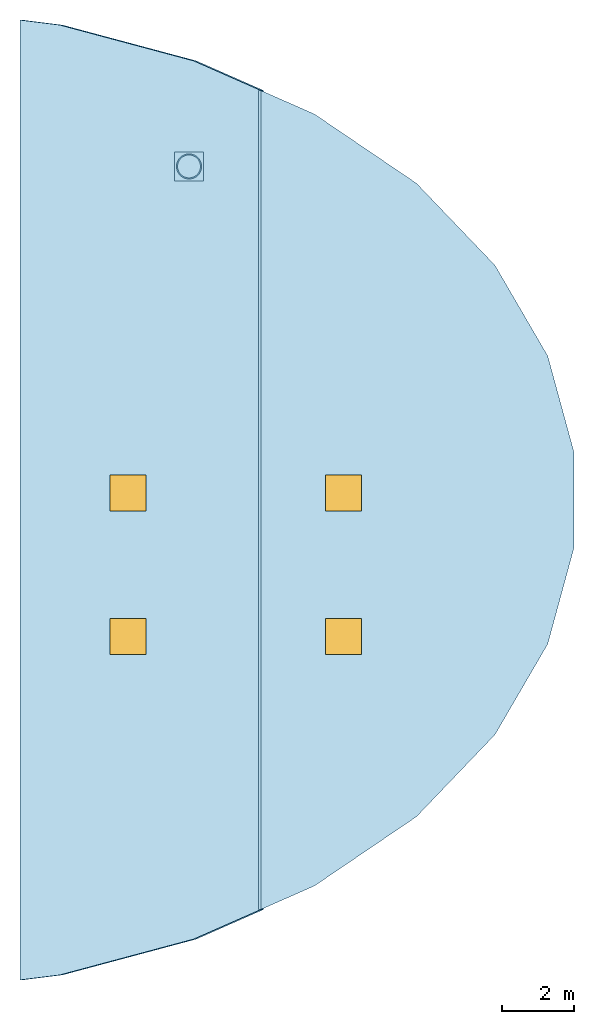
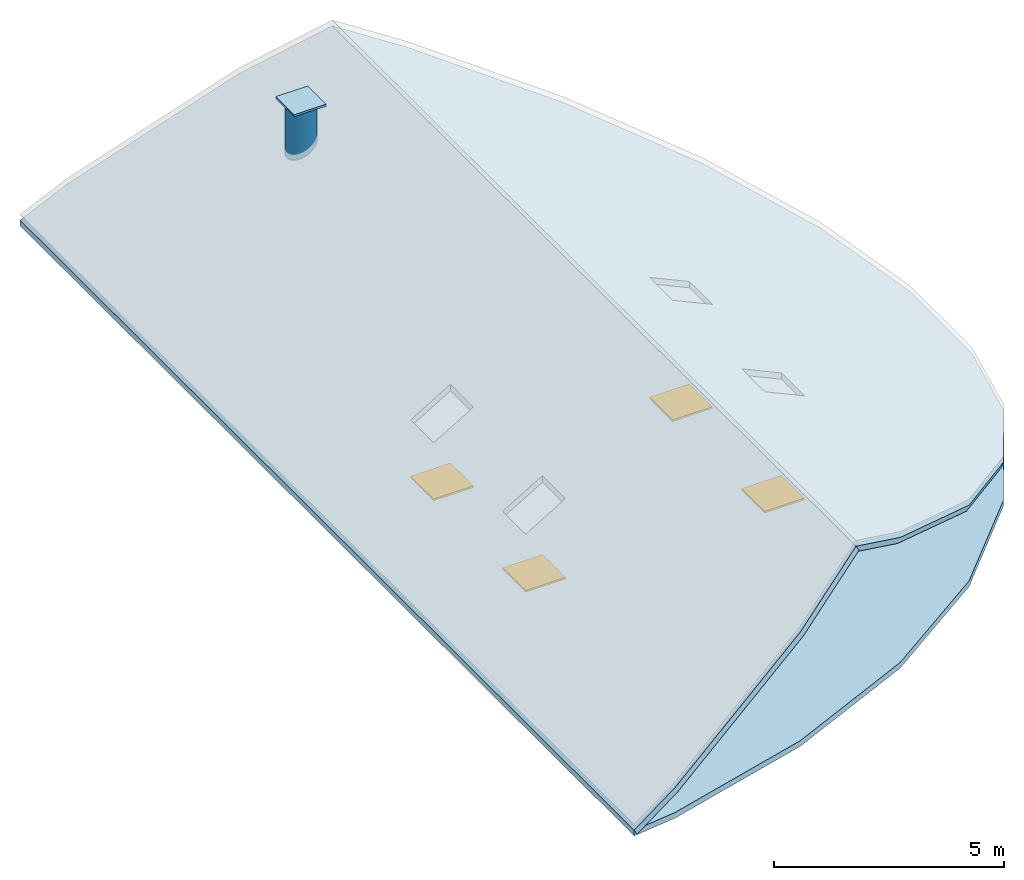
"""IFC4 building model written with IfcOpenShell, lengths in metres."""

from ifc_helpers import new_model, si_unit, direction, frame, origin, origin_2d, place, context, subcontext, project, spatial, polyline, rectangle, hollow_circle, outline, extrude, material, layer, layer_set, material_profile, profile_set, type_object, element, fill, save


model = new_model("IFC4")

# Units and contexts
model_context = context("Model", 3, precision=1e-05, world=origin(), true_north=direction((0.0, 1.0)))
body_context = subcontext(model_context, "Body", "Model", "MODEL_VIEW")
ifc_project = project(units=[si_unit("LENGTHUNIT", "METRE"), si_unit("AREAUNIT", "SQUARE_METRE"), si_unit("VOLUMEUNIT", "CUBIC_METRE"), si_unit("PLANEANGLEUNIT", "RADIAN"), si_unit("MASSUNIT", "GRAM", prefix="KILO")], contexts=[model_context])

# Site, building, storey
site_placement = place(None, origin())
site = spatial("IfcSite", under=ifc_project, at=site_placement, CompositionType="ELEMENT")
building_placement = place(site_placement, origin())
building = spatial("IfcBuilding", under=site, at=building_placement, Name="Keldmark Tower", CompositionType="ELEMENT")
storey_1_placement = place(building_placement, frame((0.0, 0.0, 292.0)))
storey_1 = spatial("IfcBuildingStorey", under=building, at=storey_1_placement, Name="RF", CompositionType="ELEMENT", Elevation=292.0)

# Member
ifc_material_1 = material(Name="Steel ASTM A572 Grade 50", Category="steel")
ifc_material_profile = material_profile(ifc_material_1, hollow_circle(Radius=0.35009765625, WallThickness=0.031982421875, at=origin_2d()), Name="CHS700X32")
ifc_profile_set = profile_set([ifc_material_profile], Name="Steel ASTM A572 Grade 50")
member_type = type_object("IfcMemberType", Name="Crown Pinnacle Mast Shaft CHS700", PredefinedType="POST", material=ifc_profile_set)
member_placement = place(storey_1_placement, frame((9.5, 9.27490234375, 0.0), z_axis=(0.0, 0.0, 1.0), x_axis=(1.0, 0.0, 0.0)))
element("IfcMember", 1, at=member_placement, inside=storey_1, type_object=member_type, Name="RF Crown Pinnacle Mast MP1", PredefinedType="POST", context=body_context, shape_type="SweptSolid", body=[
    extrude(hollow_circle(Radius=0.35009765625, WallThickness=0.031982421875, at=origin_2d()), origin(), (0.0, 0.0, 1.0), 3.949951171875),
])

# Plate
ifc_material_2 = material(Name="Steel ASTM A572 Grade 50", Category="steel")
ifc_layer_1 = layer(ifc_material_2, 0.050048828125)
ifc_layer_set_1 = layer_set([ifc_layer_1], Name="Steel ASTM A572 Grade 50")
plate_type = type_object("IfcPlateType", Name="Crown Mast Base Plate MP1-BP 50 mm", PredefinedType="SHEET", material=ifc_layer_set_1)
plate_placement = place(storey_1_placement, frame((9.5, 9.27490234375, 3.9501953125), z_axis=(0.0, 0.0, 1.0), x_axis=(1.0, 0.0, 0.0)))
element("IfcPlate", 2, at=plate_placement, inside=storey_1, type_object=plate_type, Name="RF Crown Pinnacle Mast Top Cap Plate", PredefinedType="SHEET", context=body_context, shape_type="SweptSolid", body=[
    extrude(rectangle(XDim=0.800048828125, YDim=0.800048828125, at=origin_2d()), origin(), (0.0, 0.0, 1.0), 0.050048828125),
])

# Slab, openings
ifc_material_3 = material(Name="Concrete C35/45", Category="concrete")
ifc_layer_2 = layer(ifc_material_3, 0.14990234375)
ifc_layer_set_2 = layer_set([ifc_layer_2], Name="Concrete C35/45")
slab_type = type_object("IfcSlabType", Name="Sloped Crown Structural Roof Slab 150 mm", PredefinedType="ROOF", material=ifc_layer_set_2)
slab_1_placement = place(storey_1_placement, frame((0.0, 0.0, -0.14990234375)))
slab_1 = element("IfcSlab", 3, at=slab_1_placement, inside=storey_1, type_object=slab_type, Name="RF East Crown Peak Ceiling Deck", PredefinedType="ROOF", context=body_context, shape_type="SweptSolid", body=[
    extrude(outline(polyline([(5.9072265625, 13.2080078125), (9.62451171875, 12.212646484375), (12.98583984375, 10.732177734375), (15.8232421875, 8.8076171875), (18.006103515625, 6.52783203125), (19.473388671875, 4.006591796875), (20.19921875, 1.349365234375), (20.19921875, -1.349365234375), (19.473388671875, -4.006591796875), (18.006103515625, -6.52783203125), (15.8232421875, -8.8076171875), (12.98583984375, -10.732177734375), (9.62451171875, -12.212646484375), (5.9072265625, -13.2080078125), (4.800048828125, -13.346923828125), (4.800048828125, 13.346923828125), (5.9072265625, 13.2080078125)])), origin(), (0.0, 0.0, 1.0), 0.14990234375),
])
opening_1_placement = place(slab_1_placement, frame((7.800048828125, -3.800048828125, 0.0)))
opening_1 = element("IfcOpeningElement", 4, at=opening_1_placement, cuts=slab_1, Name="Opening RH-01", PredefinedType="OPENING", context=body_context, shape_type="SweptSolid", body=[
    extrude(rectangle(XDim=1.0, YDim=1.0, at=origin_2d()), origin(), (0.0, 0.0, 1.0), 0.14990234375),
])
opening_2_placement = place(slab_1_placement, frame((13.800048828125, -3.800048828125, 0.0)))
opening_2 = element("IfcOpeningElement", 5, at=opening_2_placement, cuts=slab_1, Name="Opening RH-01", PredefinedType="OPENING", context=body_context, shape_type="SweptSolid", body=[
    extrude(rectangle(XDim=1.0, YDim=1.0, at=origin_2d()), origin(), (0.0, 0.0, 1.0), 0.14990234375),
])
opening_3_placement = place(slab_1_placement, frame((7.800048828125, 0.199951171875, 0.0)))
opening_3 = element("IfcOpeningElement", 6, at=opening_3_placement, cuts=slab_1, Name="Opening RH-01", PredefinedType="OPENING", context=body_context, shape_type="SweptSolid", body=[
    extrude(rectangle(XDim=1.0, YDim=1.0, at=origin_2d()), origin(), (0.0, 0.0, 1.0), 0.14990234375),
])
opening_4_placement = place(slab_1_placement, frame((13.800048828125, 0.199951171875, 0.0)))
opening_4 = element("IfcOpeningElement", 7, at=opening_4_placement, cuts=slab_1, Name="Opening RH-01", PredefinedType="OPENING", context=body_context, shape_type="SweptSolid", body=[
    extrude(rectangle(XDim=1.0, YDim=1.0, at=origin_2d()), origin(), (0.0, 0.0, 1.0), 0.14990234375),
])

# Storey
storey_2_placement = place(building_placement, frame((0.0, 0.0, 288.199951171875)))
storey_2 = spatial("IfcBuildingStorey", under=building, at=storey_2_placement, Name="L81", CompositionType="ELEMENT", Elevation=288.199951171875)

# Door
ifc_material_4 = material(Name="Galvanized Insulated Metal", Category="metal")
door_type = type_object("IfcDoorType", Name="Insulated Roof Maintenance Hatch 1000x1000", OperationType="SWING_FIXED_LEFT", PredefinedType="TRAPDOOR", material=ifc_material_4)
door_1_placement = place(opening_1_placement, frame((0.0, 0.0, 0.099853515625)))
door_1 = element("IfcDoor", 8, at=door_1_placement, inside=storey_2, type_object=door_type, Name="L81 East Crown Roof Maintenance Hatch 05", OperationType="SINGLE_SWING_LEFT", OverallHeight=1.0, OverallWidth=1.0, PredefinedType="TRAPDOOR", context=body_context, shape_type="SweptSolid", body=[
    extrude(rectangle(XDim=1.0, YDim=1.0, at=origin_2d()), origin(), (0.0, 0.0, 1.0), 0.050048828125),
])

fill(opening_1, door_1)

door_2_placement = place(opening_2_placement, frame((0.0, 0.0, 0.099853515625)))
door_2 = element("IfcDoor", 9, at=door_2_placement, inside=storey_2, type_object=door_type, Name="L81 East Crown Roof Maintenance Hatch 06", OperationType="SINGLE_SWING_LEFT", OverallHeight=1.0, OverallWidth=1.0, PredefinedType="TRAPDOOR", context=body_context, shape_type="SweptSolid", body=[
    extrude(rectangle(XDim=1.0, YDim=1.0, at=origin_2d()), origin(), (0.0, 0.0, 1.0), 0.050048828125),
])

fill(opening_2, door_2)

door_3_placement = place(opening_3_placement, frame((0.0, 0.0, 0.099853515625)))
door_3 = element("IfcDoor", 10, at=door_3_placement, inside=storey_2, type_object=door_type, Name="L81 East Crown Roof Maintenance Hatch 07", OperationType="SINGLE_SWING_LEFT", OverallHeight=1.0, OverallWidth=1.0, PredefinedType="TRAPDOOR", context=body_context, shape_type="SweptSolid", body=[
    extrude(rectangle(XDim=1.0, YDim=1.0, at=origin_2d()), origin(), (0.0, 0.0, 1.0), 0.050048828125),
])

fill(opening_3, door_3)

door_4_placement = place(opening_4_placement, frame((0.0, 0.0, 0.099853515625)))
door_4 = element("IfcDoor", 11, at=door_4_placement, inside=storey_2, type_object=door_type, Name="L81 East Crown Roof Maintenance Hatch 08", OperationType="SINGLE_SWING_LEFT", OverallHeight=1.0, OverallWidth=1.0, PredefinedType="TRAPDOOR", context=body_context, shape_type="SweptSolid", body=[
    extrude(rectangle(XDim=1.0, YDim=1.0, at=origin_2d()), origin(), (0.0, 0.0, 1.0), 0.050048828125),
])

fill(opening_4, door_4)

# Slab, openings
slab_2_placement = place(storey_1_placement, frame((9.62451171875, 12.212646484375, 2.88037109375), z_axis=(-0.512612674444, 0.0, 0.858619965992), x_axis=(0.80312260348, -0.353685342087, 0.479479678999)))
slab_2 = element("IfcSlab", 12, at=slab_2_placement, inside=storey_1, type_object=slab_type, Name="RF East Crown Peak Sloped Roof E1", PredefinedType="ROOF", context=body_context, shape_type="SweptSolid", body=[
    extrude(outline(polyline([(0.0, 0.0), (2.335204873071256, 5.551115123125783e-17), (10.389835905751413, -21.301464139673406), (8.638868099222973, -22.84655104328651), (4.9412803593125, -25.308846761927963), (3.7843307650295017, -25.894834524229026), (-5.656891874884553, -0.926358043701463), (-4.401677163586224, -0.6002444901369832), (0.0, 0.0)])), origin(), (0.0, 0.0, -1.0), 0.14990234375),
])
opening_5_placement = place(storey_1_placement, frame((7.800048828125, -3.800048828125, -0.64990234375)))
element("IfcOpeningElement", 13, at=opening_5_placement, cuts=slab_2, Name="Opening RH-01 Roof", PredefinedType="OPENING", context=body_context, shape_type="SweptSolid", body=[
    extrude(rectangle(XDim=1.0, YDim=1.0, at=origin_2d()), origin(), (0.0, 0.0, 1.0), 5.5),
])
opening_6_placement = place(storey_1_placement, frame((7.800048828125, 0.199951171875, -0.64990234375)))
element("IfcOpeningElement", 14, at=opening_6_placement, cuts=slab_2, Name="Opening RH-01 Roof", PredefinedType="OPENING", context=body_context, shape_type="SweptSolid", body=[
    extrude(rectangle(XDim=1.0, YDim=1.0, at=origin_2d()), origin(), (0.0, 0.0, 1.0), 5.5),
])

slab_3_placement = place(storey_1_placement, frame((12.98583984375, 10.732177734375, 3.31689453125), z_axis=(0.417737973685, 0.0, 0.908567545833), x_axis=(0.7734881399, -0.52463533298, -0.355631642043)))
slab_3 = element("IfcSlab", 15, at=slab_3_placement, inside=storey_1, type_object=slab_type, Name="RF East Crown Peak Sloped Roof E2", PredefinedType="ROOF", context=body_context, shape_type="SweptSolid", body=[
    extrude(outline(polyline([(0.0, 0.0), (3.668377682344472, 2.7755575615628914e-16), (6.909698055151141, -0.6804364487693081), (9.607339330321187, -1.9795403471385673), (11.681523817322093, -3.822587705276728), (13.097373175419351, -6.1200899877859705), (13.81133857326204, -8.801380397483994), (13.759160717862281, -11.795076584418327), (12.90995203420202, -14.996325736168528), (11.260959278559316, -18.273186690215994), (10.212141205769242, -19.68837491517973), (-1.7356087601536956, -0.3007312646946412), (0.0, 0.0)])), origin(), (0.0, 0.0, -1.0), 0.14990234375),
])
opening_7_placement = place(storey_1_placement, frame((13.800048828125, -3.800048828125, -0.64990234375)))
element("IfcOpeningElement", 16, at=opening_7_placement, cuts=slab_3, Name="Opening RH-01 Roof", PredefinedType="OPENING", context=body_context, shape_type="SweptSolid", body=[
    extrude(rectangle(XDim=1.0, YDim=1.0, at=origin_2d()), origin(), (0.0, 0.0, 1.0), 5.5),
])
opening_8_placement = place(storey_1_placement, frame((13.800048828125, 0.199951171875, -0.64990234375)))
element("IfcOpeningElement", 17, at=opening_8_placement, cuts=slab_3, Name="Opening RH-01 Roof", PredefinedType="OPENING", context=body_context, shape_type="SweptSolid", body=[
    extrude(rectangle(XDim=1.0, YDim=1.0, at=origin_2d()), origin(), (0.0, 0.0, 1.0), 5.5),
])

save(model, "model.ifc")
